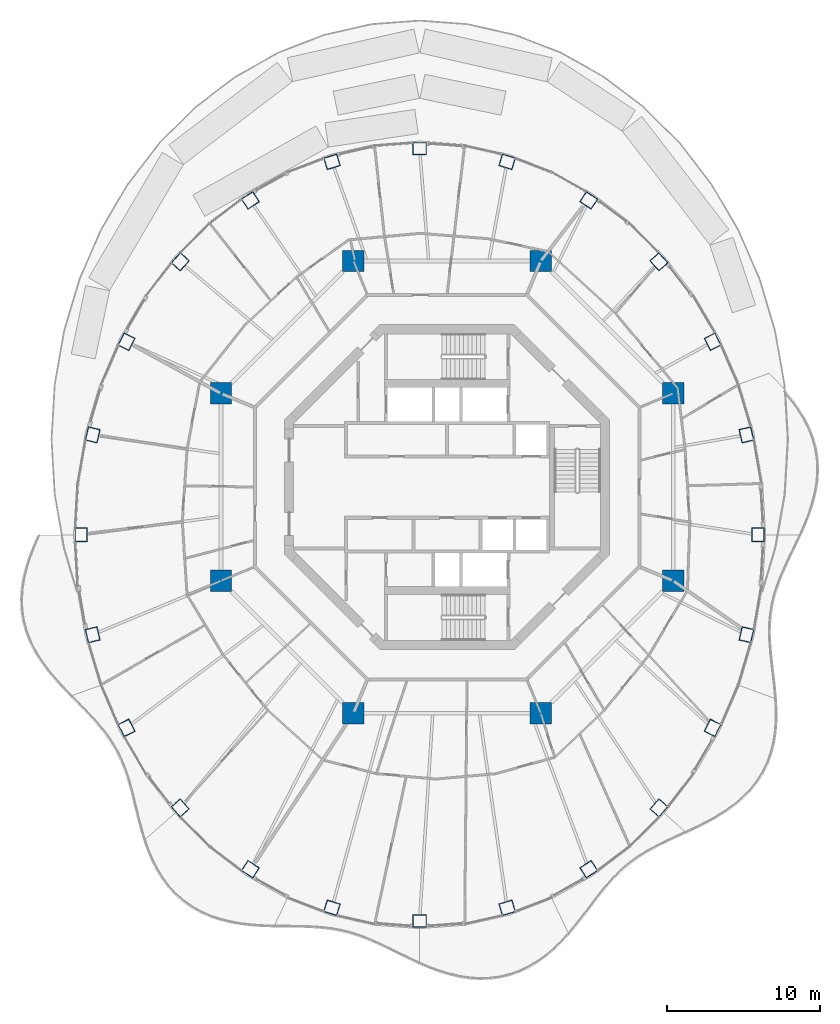
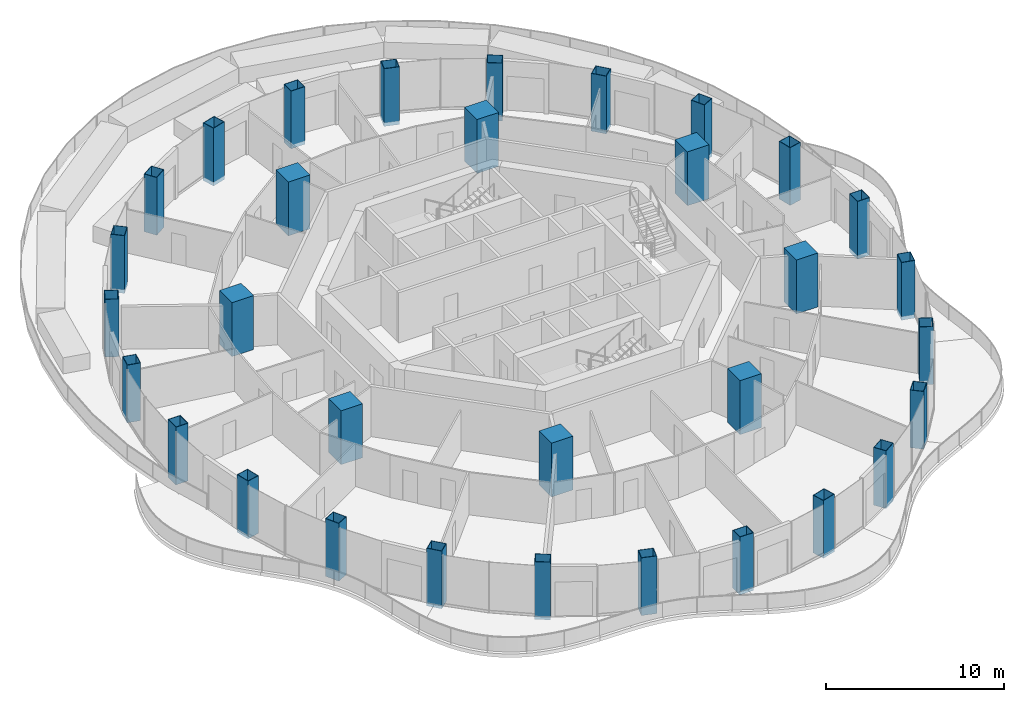
# One storey, part 1 of 17: 32 columns.
"""IFC4 building model written with IfcOpenShell, lengths in metres."""

from ifc_helpers import new_model, si_unit, direction, frame, origin, origin_2d, place, context, subcontext, project, spatial, rectangle, hollow_rectangle, extrude, material, material_profile, profile_set, type_object, element, save


model = new_model("IFC4")

# Units and contexts
model_context = context("Model", 3, precision=1e-05, world=origin(), true_north=direction((0.0, 1.0)))
body_context = subcontext(model_context, "Body", "Model", "MODEL_VIEW")
ifc_project = project(units=[si_unit("LENGTHUNIT", "METRE"), si_unit("AREAUNIT", "SQUARE_METRE"), si_unit("VOLUMEUNIT", "CUBIC_METRE"), si_unit("PLANEANGLEUNIT", "RADIAN"), si_unit("MASSUNIT", "GRAM", prefix="KILO")], contexts=[model_context])

# Site, building, storey
site_placement = place(None, origin())
site = spatial("IfcSite", under=ifc_project, at=site_placement, CompositionType="ELEMENT")
building_placement = place(site_placement, origin())
building = spatial("IfcBuilding", under=site, at=building_placement, Name="Nagisa Residences", CompositionType="ELEMENT")
storey_placement = place(building_placement, frame((0.0, 0.0, 258.5)))
storey = spatial("IfcBuildingStorey", under=building, at=storey_placement, Name="L65", CompositionType="ELEMENT", Elevation=258.5)

# Columns
ifc_material_1 = material(Name="Concrete C80", Category="concrete")
ifc_material_profile_1 = material_profile(ifc_material_1, rectangle(XDim=1.39990234375, YDim=1.39990234375, at=origin_2d()), Name="C80 1400x1400")
ifc_profile_set_1 = profile_set([ifc_material_profile_1], Name="Concrete C80")
column_type_1 = type_object("IfcColumnType", Name="Inner megacolumn C80 1400x1400", PredefinedType="COLUMN", material=ifc_profile_set_1)
for number, where, z_axis, x_axis, name in (
    (1, (14.781982421875, 6.123046875, 0.0), (0.0, 0.0, 1.0), (1.0, 0.0, 0.0), "col:L65:i1"),
    (2, (6.123046875, 14.781982421875, 0.0), (0.0, 0.0, 1.0), (1.0, 0.0, 0.0), "col:L65:i2"),
    (3, (-6.123046875, 14.781982421875, 0.0), (0.0, 0.0, 1.0), (1.0, 0.0, 0.0), "col:L65:i3"),
    (4, (-14.781982421875, 6.123046875, 0.0), (0.0, 0.0, 1.0), (1.0, 0.0, 0.0), "col:L65:i4"),
    (5, (-14.781982421875, -6.123046875, 0.0), (0.0, 0.0, 1.0), (1.0, 0.0, 0.0), "col:L65:i5"),
    (6, (-6.123046875, -14.781982421875, 0.0), (0.0, 0.0, 1.0), (1.0, 0.0, 0.0), "col:L65:i6"),
    (7, (6.123046875, -14.781982421875, 0.0), (0.0, 0.0, 1.0), (1.0, 0.0, 0.0), "col:L65:i7"),
    (8, (14.781982421875, -6.123046875, 0.0), (0.0, 0.0, 1.0), (1.0, 0.0, 0.0), "col:L65:i8"),
):
    element("IfcColumn", number, at=place(storey_placement, frame(where, z_axis=z_axis, x_axis=x_axis)), inside=storey, type_object=column_type_1, Name=name, PredefinedType="COLUMN", context=body_context, shape_type="SweptSolid", body=[
        extrude(rectangle(XDim=1.39990234375, YDim=1.39990234375, at=origin_2d()), origin(), (0.0, 0.0, 1.0), 3.699951171875),
    ])
ifc_material_2 = material(Name="Steel ASTM A572 Gr 50", Category="steel")
ifc_material_profile_2 = material_profile(ifc_material_2, hollow_rectangle(XDim=0.89990234375, YDim=0.800048828125, WallThickness=0.028076171875, at=origin_2d()), Name="BX 900x800x28")
ifc_profile_set_2 = profile_set([ifc_material_profile_2], Name="Steel ASTM A572 Gr 50")
column_type_2 = type_object("IfcColumnType", Name="Perimeter column BX 900x800x28", PredefinedType="COLUMN", material=ifc_profile_set_2)
for number, where, z_axis, x_axis, name in (
    (9, (20.320068359375, -3.11767578125, -0.260009765625), (0.0, 0.0, 1.0), (0.0, 1.0, 0.0), "col:L65:p00"),
    (10, (19.566162109375, 3.414794921875, -0.260009765625), (0.0, 0.0, 1.0), (-0.229202013103, 0.973378876486, 0.0), "col:L65:p01"),
    (11, (17.3564453125, 9.502197265625, -0.260009765625), (0.0, 0.0, 1.0), (-0.452462697578, 0.891783329795, 0.0), "col:L65:p02"),
    (12, (13.84130859375, 14.729736328125, -0.260009765625), (0.0, 0.0, 1.0), (-0.660114607735, 0.751164898445, 0.0), "col:L65:p03"),
    (13, (9.260009765625, 18.74072265625, -0.260009765625), (0.0, 0.0, 1.0), (-0.835766105673, 0.54908561865, 0.0), "col:L65:p04"),
    (14, (3.925048828125, 21.26220703125, -0.260009765625), (0.0, 0.0, 1.0), (-0.956524583408, 0.291651712384, 0.0), "col:L65:p05"),
    (15, (-1.800048828125, 22.122314453125, -0.260009765625), (0.0, 0.0, 1.0), (-1.0, 0.0, 0.0), "col:L65:p06"),
    (16, (-7.525146484375, 21.26220703125, -0.260009765625), (0.0, 0.0, 1.0), (-0.956524583408, -0.291651712384, 0.0), "col:L65:p07"),
    (17, (-12.860107421875, 18.74072265625, -0.260009765625), (0.0, 0.0, 1.0), (-0.835766105673, -0.54908561865, 0.0), "col:L65:p08"),
    (18, (-17.441162109375, 14.729736328125, -0.260009765625), (0.0, 0.0, 1.0), (-0.660114607735, -0.751164898445, 0.0), "col:L65:p09"),
    (19, (-20.95654296875, 9.502197265625, -0.260009765625), (0.0, 0.0, 1.0), (-0.452462697578, -0.891783329795, 0.0), "col:L65:p10"),
    (20, (-23.166259765625, 3.414794921875, -0.260009765625), (0.0, 0.0, 1.0), (-0.229202013103, -0.973378876486, 0.0), "col:L65:p11"),
    (21, (-23.919921875, -3.11767578125, -0.260009765625), (0.0, 0.0, 1.0), (0.0, -1.0, 0.0), "col:L65:p12"),
    (22, (-23.166259765625, -9.650390625, -0.260009765625), (0.0, 0.0, 1.0), (0.229202013103, -0.973378876486, 0.0), "col:L65:p13"),
    (23, (-20.95654296875, -15.73779296875, -0.260009765625), (0.0, 0.0, 1.0), (0.452462697578, -0.891783329795, 0.0), "col:L65:p14"),
    (24, (-17.441162109375, -20.965087890625, -0.260009765625), (0.0, 0.0, 1.0), (0.660114607735, -0.751164898445, 0.0), "col:L65:p15"),
    (25, (-12.860107421875, -24.97607421875, -0.260009765625), (0.0, 0.0, 1.0), (0.835766105673, -0.54908561865, 0.0), "col:L65:p16"),
    (26, (-7.525146484375, -27.49755859375, -0.260009765625), (0.0, 0.0, 1.0), (0.956524583408, -0.291651712384, 0.0), "col:L65:p17"),
    (27, (-1.800048828125, -28.357666015625, -0.260009765625), (0.0, 0.0, 1.0), (1.0, 0.0, 0.0), "col:L65:p18"),
    (28, (3.925048828125, -27.49755859375, -0.260009765625), (0.0, 0.0, 1.0), (0.956524583408, 0.291651712384, 0.0), "col:L65:p19"),
    (29, (9.260009765625, -24.97607421875, -0.260009765625), (0.0, 0.0, 1.0), (0.835766105673, 0.54908561865, 0.0), "col:L65:p20"),
    (30, (13.84130859375, -20.965087890625, -0.260009765625), (0.0, 0.0, 1.0), (0.660114607735, 0.751164898445, 0.0), "col:L65:p21"),
    (31, (17.3564453125, -15.73779296875, -0.260009765625), (0.0, 0.0, 1.0), (0.452462697578, 0.891783329795, 0.0), "col:L65:p22"),
    (32, (19.566162109375, -9.650390625, -0.260009765625), (0.0, 0.0, 1.0), (0.229202013103, 0.973378876486, 0.0), "col:L65:p23"),
):
    element("IfcColumn", number, at=place(storey_placement, frame(where, z_axis=z_axis, x_axis=x_axis)), inside=storey, type_object=column_type_2, Name=name, PredefinedType="COLUMN", context=body_context, shape_type="SweptSolid", body=[
        extrude(hollow_rectangle(XDim=0.89990234375, YDim=0.800048828125, WallThickness=0.028076171875, at=origin_2d()), origin(), (0.0, 0.0, 1.0), 3.9599609375),
    ])

save(model, "model.ifc")
